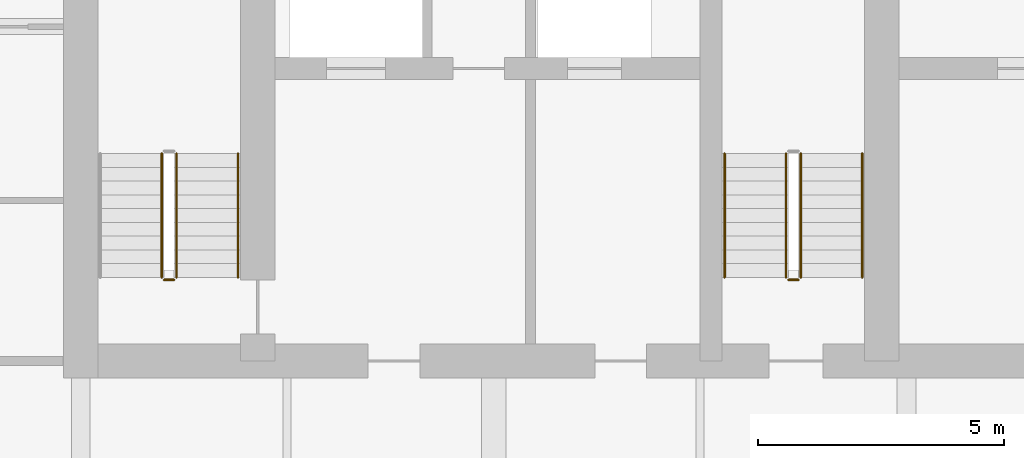
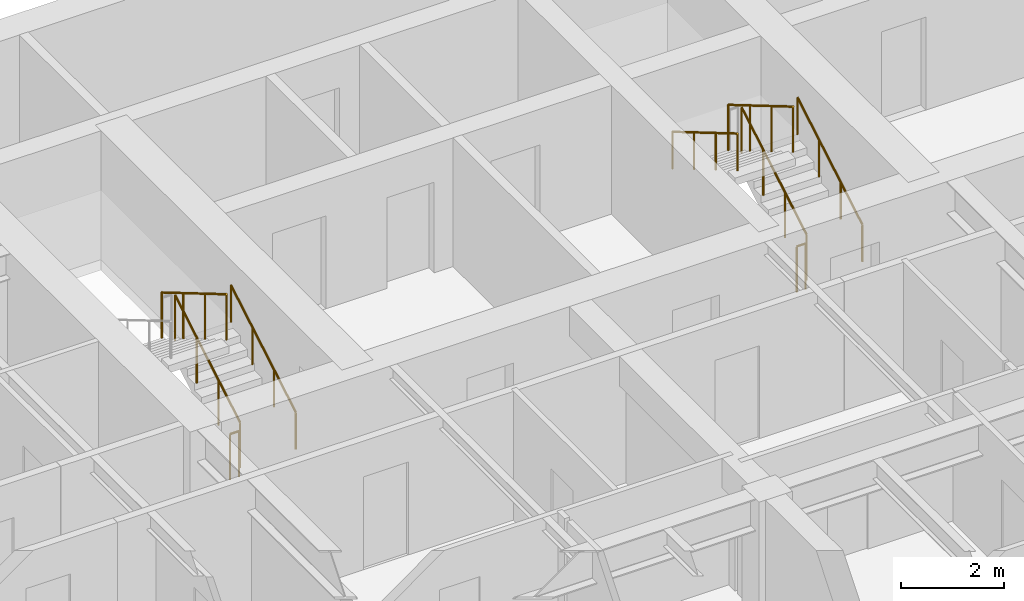
# One storey, part 14 of 17: 9 railings.
"""IFC4 building model written with IfcOpenShell, lengths in metres."""

from ifc_helpers import new_model, si_unit, direction, frame, origin, origin_2d, place, context, subcontext, project, spatial, circle, extrude, material, type_object, element, save


model = new_model("IFC4")

# Units and contexts
model_context = context("Model", 3, precision=1e-05, world=origin(), true_north=direction((0.0, 1.0)))
body_context = subcontext(model_context, "Body", "Model", "MODEL_VIEW")
ifc_project = project(units=[si_unit("LENGTHUNIT", "METRE"), si_unit("AREAUNIT", "SQUARE_METRE"), si_unit("VOLUMEUNIT", "CUBIC_METRE"), si_unit("PLANEANGLEUNIT", "RADIAN"), si_unit("MASSUNIT", "GRAM", prefix="KILO")], contexts=[model_context])

# Site, building, storey
site_placement = place(None, origin())
site = spatial("IfcSite", under=ifc_project, at=site_placement, CompositionType="ELEMENT")
building_placement = place(site_placement, origin())
building = spatial("IfcBuilding", under=site, at=building_placement, Name="Caelmar Bay Residences", CompositionType="ELEMENT")
storey_placement = place(building_placement, frame((0.0, 0.0, 262.800048828125)))
storey = spatial("IfcBuildingStorey", under=building, at=storey_placement, Name="L74", CompositionType="ELEMENT", Elevation=262.800048828125)

# Railings
ifc_material_1 = material(Name="Painted galvanized steel stair guard 1100 mm", Category="steel")
railing_type_1 = type_object("IfcRailingType", Name="RL-GRD-1100", PredefinedType="GUARDRAIL", material=ifc_material_1)
railing_1_placement = place(storey_placement, frame((20.25, 38.699951171875, 0.1650390625)))
element("IfcRailing", 1, at=railing_1_placement, inside=storey, type_object=railing_type_1, Name="L74 ST1 stair guard 1", PredefinedType="GUARDRAIL", context=body_context, shape_type="SweptSolid", body=[
    extrude(circle(Radius=0.02392578125, at=origin_2d()), frame((0.0, 0.0, 1.076171875), z_axis=(0.0, 0.861560626758, 0.507654692109), x_axis=(-1.0, 0.0, 0.0)), (0.0, 0.0, 1.0), 2.925048828125),
    extrude(circle(Radius=0.02099609375, at=origin_2d()), origin(), (0.0, 0.0, 1.0), 1.052001953125),
    extrude(circle(Radius=0.02099609375, at=origin_2d()), frame((0.0, 0.840087890625, 0.494873046875)), (0.0, 0.0, 1.0), 1.052001953125),
    extrude(circle(Radius=0.02099609375, at=origin_2d()), frame((0.0, 1.679931640625, 0.989990234375)), (0.0, 0.0, 1.0), 1.052001953125),
    extrude(circle(Radius=0.02099609375, at=origin_2d()), frame((0.0, 2.52001953125, 1.48486328125)), (0.0, 0.0, 1.0), 1.052001953125),
])
railing_2_placement = place(storey_placement, frame((19.949951171875, 41.219970703125, 1.81494140625)))
element("IfcRailing", 2, at=railing_2_placement, inside=storey, type_object=railing_type_1, Name="L74 ST1 stair guard 3", PredefinedType="GUARDRAIL", context=body_context, shape_type="SweptSolid", body=[
    extrude(circle(Radius=0.02392578125, at=origin_2d()), frame((0.0, 0.0, 1.076171875), z_axis=(0.0, -0.86152411907, 0.507716645641), x_axis=(1.0, 0.0, 0.0)), (0.0, 0.0, 1.0), 2.925048828125),
    extrude(circle(Radius=0.02099609375, at=origin_2d()), origin(), (0.0, 0.0, 1.0), 1.052001953125),
    extrude(circle(Radius=0.02099609375, at=origin_2d()), frame((0.0, -0.840087890625, 0.4951171875)), (0.0, 0.0, 1.0), 1.052001953125),
    extrude(circle(Radius=0.02099609375, at=origin_2d()), frame((0.0, -1.679931640625, 0.989990234375)), (0.0, 0.0, 1.0), 1.052001953125),
    extrude(circle(Radius=0.02099609375, at=origin_2d()), frame((0.0, -2.52001953125, 1.485107421875)), (0.0, 0.0, 1.0), 1.052001953125),
])
railing_3_placement = place(storey_placement, frame((20.199951171875, 38.64990234375, 0.0)))
element("IfcRailing", 3, at=railing_3_placement, inside=storey, type_object=railing_type_1, Name="L74 ST1 stair guard 4", PredefinedType="GUARDRAIL", context=body_context, shape_type="SweptSolid", body=[
    extrude(circle(Radius=0.02392578125, at=origin_2d()), frame((0.0, 0.0, 1.076171875), z_axis=(-1.0, 0.0, 0.0), x_axis=(0.0, -1.0, 0.0)), (0.0, 0.0, 1.0), 0.199951171875),
    extrude(circle(Radius=0.02099609375, at=origin_2d()), origin(), (0.0, 0.0, 1.0), 1.052001953125),
    extrude(circle(Radius=0.02099609375, at=origin_2d()), frame((-0.199951171875, 0.0, 0.0)), (0.0, 0.0, 1.0), 1.052001953125),
])
railing_4_placement = place(storey_placement, frame((32.949951171875, 38.699951171875, 0.1650390625)))
element("IfcRailing", 4, at=railing_4_placement, inside=storey, type_object=railing_type_1, Name="L74 ST3 stair guard 1", PredefinedType="GUARDRAIL", context=body_context, shape_type="SweptSolid", body=[
    extrude(circle(Radius=0.02392578125, at=origin_2d()), frame((0.0, 0.0, 1.076171875), z_axis=(0.0, 0.861560626758, 0.507654692109), x_axis=(-1.0, 0.0, 0.0)), (0.0, 0.0, 1.0), 2.925048828125),
    extrude(circle(Radius=0.02099609375, at=origin_2d()), origin(), (0.0, 0.0, 1.0), 1.052001953125),
    extrude(circle(Radius=0.02099609375, at=origin_2d()), frame((0.0, 0.840087890625, 0.494873046875)), (0.0, 0.0, 1.0), 1.052001953125),
    extrude(circle(Radius=0.02099609375, at=origin_2d()), frame((0.0, 1.679931640625, 0.989990234375)), (0.0, 0.0, 1.0), 1.052001953125),
    extrude(circle(Radius=0.02099609375, at=origin_2d()), frame((0.0, 2.52001953125, 1.48486328125)), (0.0, 0.0, 1.0), 1.052001953125),
])
railing_5_placement = place(storey_placement, frame((32.64990234375, 41.219970703125, 1.81494140625)))
element("IfcRailing", 5, at=railing_5_placement, inside=storey, type_object=railing_type_1, Name="L74 ST3 stair guard 3", PredefinedType="GUARDRAIL", context=body_context, shape_type="SweptSolid", body=[
    extrude(circle(Radius=0.02392578125, at=origin_2d()), frame((0.0, 0.0, 1.076171875), z_axis=(0.0, -0.86152411907, 0.507716645641), x_axis=(1.0, 0.0, 0.0)), (0.0, 0.0, 1.0), 2.925048828125),
    extrude(circle(Radius=0.02099609375, at=origin_2d()), origin(), (0.0, 0.0, 1.0), 1.052001953125),
    extrude(circle(Radius=0.02099609375, at=origin_2d()), frame((0.0, -0.840087890625, 0.4951171875)), (0.0, 0.0, 1.0), 1.052001953125),
    extrude(circle(Radius=0.02099609375, at=origin_2d()), frame((0.0, -1.679931640625, 0.989990234375)), (0.0, 0.0, 1.0), 1.052001953125),
    extrude(circle(Radius=0.02099609375, at=origin_2d()), frame((0.0, -2.52001953125, 1.485107421875)), (0.0, 0.0, 1.0), 1.052001953125),
])
railing_6_placement = place(storey_placement, frame((32.89990234375, 38.64990234375, 0.0)))
element("IfcRailing", 6, at=railing_6_placement, inside=storey, type_object=railing_type_1, Name="L74 ST3 stair guard 4", PredefinedType="GUARDRAIL", context=body_context, shape_type="SweptSolid", body=[
    extrude(circle(Radius=0.02392578125, at=origin_2d()), frame((0.0, 0.0, 1.076171875), z_axis=(-1.0, 0.0, 0.0), x_axis=(0.0, -1.0, 0.0)), (0.0, 0.0, 1.0), 0.199951171875),
    extrude(circle(Radius=0.02099609375, at=origin_2d()), origin(), (0.0, 0.0, 1.0), 1.052001953125),
    extrude(circle(Radius=0.02099609375, at=origin_2d()), frame((-0.199951171875, 0.0, 0.0)), (0.0, 0.0, 1.0), 1.052001953125),
])
ifc_material_2 = material(Name="Brushed bronze stainless-steel tubular handrail 900 mm", Category="steel")
railing_type_2 = type_object("IfcRailingType", Name="RL-HND-900", PredefinedType="HANDRAIL", material=ifc_material_2)
for number, where, name in (
    (7, (21.5, 38.699951171875, 0.1650390625), "L74 ST1 stair handrail 1"),
    (8, (34.199951171875, 38.699951171875, 0.1650390625), "L74 ST3 stair handrail 1"),
):
    element("IfcRailing", number, at=place(storey_placement, frame(where)), inside=storey, type_object=railing_type_2, Name=name, PredefinedType="HANDRAIL", context=body_context, shape_type="SweptSolid", body=[
        extrude(circle(Radius=0.02392578125, at=origin_2d()), frame((0.0, 0.0, 0.8759765625), z_axis=(0.0, 0.861560626758, 0.507654692109), x_axis=(-1.0, 0.0, 0.0)), (0.0, 0.0, 1.0), 2.925048828125),
        extrude(circle(Radius=0.02099609375, at=origin_2d()), origin(), (0.0, 0.0, 1.0), 0.851806640625),
        extrude(circle(Radius=0.02099609375, at=origin_2d()), frame((0.0, 0.840087890625, 0.494873046875)), (0.0, 0.0, 1.0), 0.851806640625),
        extrude(circle(Radius=0.02099609375, at=origin_2d()), frame((0.0, 1.679931640625, 0.989990234375)), (0.0, 0.0, 1.0), 0.851806640625),
        extrude(circle(Radius=0.02099609375, at=origin_2d()), frame((0.0, 2.52001953125, 1.48486328125)), (0.0, 0.0, 1.0), 0.851806640625),
    ])
railing_7_placement = place(storey_placement, frame((31.39990234375, 41.219970703125, 1.81494140625)))
element("IfcRailing", 9, at=railing_7_placement, inside=storey, type_object=railing_type_2, Name="L74 ST3 stair handrail 2", PredefinedType="HANDRAIL", context=body_context, shape_type="SweptSolid", body=[
    extrude(circle(Radius=0.02392578125, at=origin_2d()), frame((0.0, 0.0, 0.8759765625), z_axis=(0.0, -0.86152411907, 0.507716645641), x_axis=(1.0, 0.0, 0.0)), (0.0, 0.0, 1.0), 2.925048828125),
    extrude(circle(Radius=0.02099609375, at=origin_2d()), origin(), (0.0, 0.0, 1.0), 0.851806640625),
    extrude(circle(Radius=0.02099609375, at=origin_2d()), frame((0.0, -0.840087890625, 0.4951171875)), (0.0, 0.0, 1.0), 0.851806640625),
    extrude(circle(Radius=0.02099609375, at=origin_2d()), frame((0.0, -1.679931640625, 0.989990234375)), (0.0, 0.0, 1.0), 0.851806640625),
    extrude(circle(Radius=0.02099609375, at=origin_2d()), frame((0.0, -2.52001953125, 1.485107421875)), (0.0, 0.0, 1.0), 0.851806640625),
])

save(model, "model.ifc")
